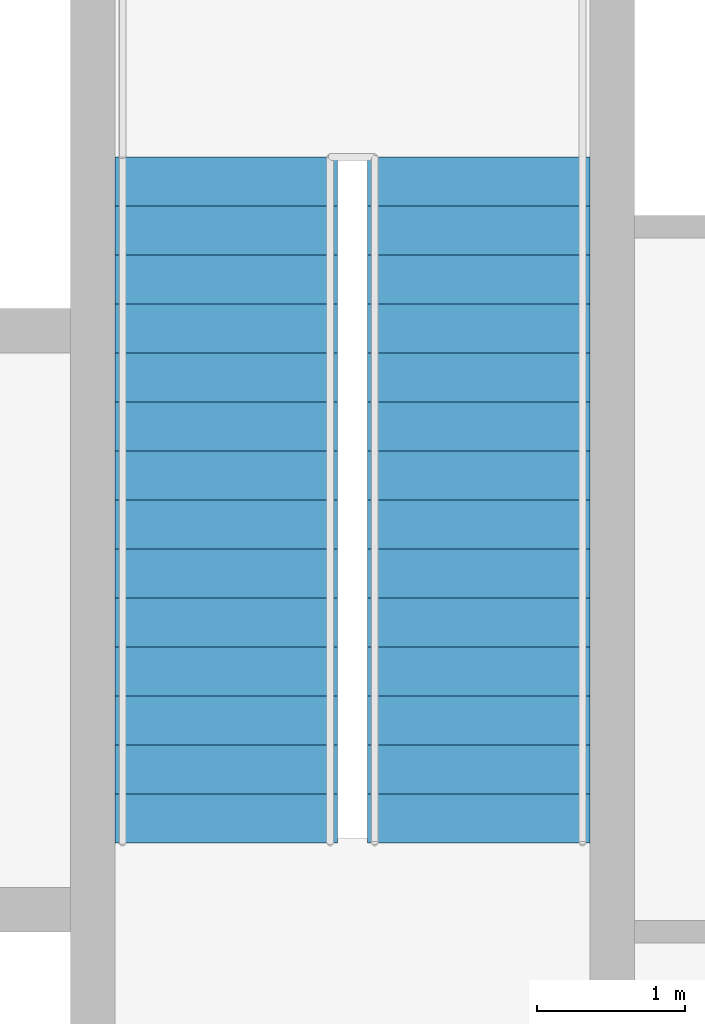
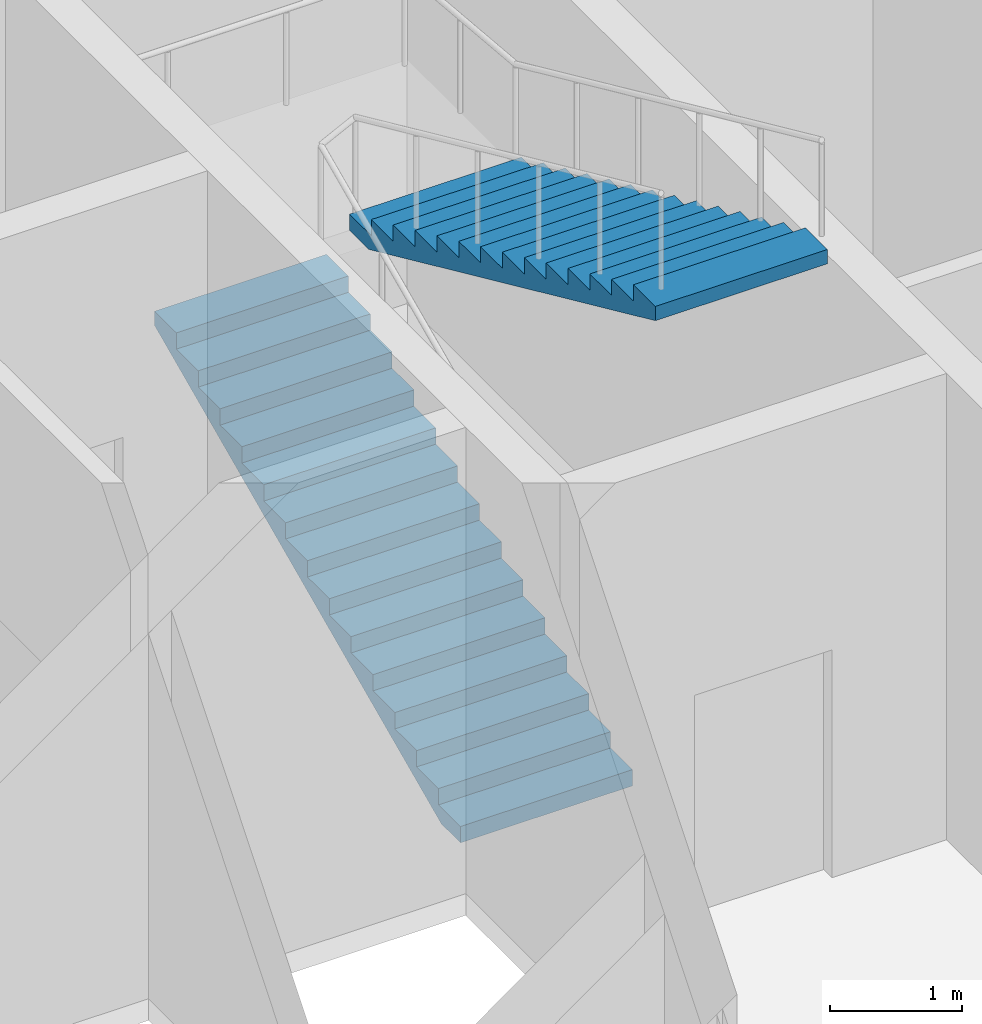
# One storey, part 10 of 11: 2 stair flights, 1 element without a shape of its own.
"""IFC4 building model written with IfcOpenShell, lengths in metres."""

from ifc_helpers import new_model, si_unit, direction, frame, origin, place, context, subcontext, project, spatial, polygons, material, type_object, element, aggregate, save


model = new_model("IFC4")

# Units and contexts
model_context = context("Model", 3, precision=1e-05, world=origin(), true_north=direction((0.0, 1.0)))
body_context = subcontext(model_context, "Body", "Model", "MODEL_VIEW")
ifc_project = project(units=[si_unit("LENGTHUNIT", "METRE"), si_unit("AREAUNIT", "SQUARE_METRE"), si_unit("VOLUMEUNIT", "CUBIC_METRE"), si_unit("PLANEANGLEUNIT", "RADIAN"), si_unit("MASSUNIT", "GRAM", prefix="KILO")], contexts=[model_context])

# Site, building, storey
site_placement = place(None, origin())
site = spatial("IfcSite", under=ifc_project, at=site_placement, CompositionType="ELEMENT")
building_placement = place(site_placement, origin())
building = spatial("IfcBuilding", under=site, at=building_placement, Name="Njiva Tower", CompositionType="ELEMENT")
storey_placement = place(building_placement, frame((0.0, 0.0, 129.3)))
storey = spatial("IfcBuildingStorey", under=building, at=storey_placement, Name="L27", CompositionType="ELEMENT", Elevation=129.3)

# Stair, stair flights
ifc_material = material(Name="Concrete C40/50", Category="concrete")
stair_type = type_object("IfcStairType", Name="ST4 Exit stair 1500", PredefinedType="HALF_TURN_STAIR", material=ifc_material)
stair_placement = place(storey_placement, origin())
stair = element("IfcStair", 1, at=stair_placement, inside=storey, type_object=stair_type, Name="Stair B", PredefinedType="HALF_TURN_STAIR")
stair_flight_type = type_object("IfcStairFlightType", Name="FL4 Stair flight 1500", PredefinedType="STRAIGHT", material=ifc_material)
stair_flight_1_placement = place(storey_placement, frame((11.75, 11.1, 0.0), z_axis=(0.0, 0.0, 1.0), x_axis=(0.0, 1.0, 0.0)))
stair_flight_1 = element("IfcStairFlight", 2, at=stair_flight_1_placement, type_object=stair_flight_type, Name="ST-B flight 1", NumberOfRisers=15, NumberOfTreads=14, PredefinedType="STRAIGHT", RiserHeight=0.15, TreadLength=0.33, context=body_context, shape_type="Tessellation", body=[
    polygons([(0.0, 0.75, 0.0), (0.0, 0.375, 0.0), (0.0, 0.0, 0.0), (0.0, -0.375, 0.0), (0.0, -0.75, 0.0), (0.0, 0.75, 0.15), (0.0, 0.375, 0.15), (0.0, 0.0, 0.15), (0.0, -0.375, 0.15), (0.0, -0.75, 0.15), (0.33, 0.75, 0.15), (0.33, 0.375, 0.15), (0.33, 0.0, 0.15), (0.33, -0.375, 0.15), (0.33, -0.75, 0.15), (0.33, 0.75, 0.3), (0.33, 0.375, 0.3), (0.33, 0.0, 0.3), (0.33, -0.375, 0.3), (0.33, -0.75, 0.3), (0.66, 0.75, 0.3), (0.66, 0.375, 0.3), (0.66, 0.0, 0.3), (0.66, -0.375, 0.3), (0.66, -0.75, 0.3), (0.66, 0.75, 0.45), (0.66, 0.375, 0.45), (0.66, 0.0, 0.45), (0.66, -0.375, 0.45), (0.66, -0.75, 0.45), (0.99, 0.75, 0.45), (0.99, 0.375, 0.45), (0.99, 0.0, 0.45), (0.99, -0.375, 0.45), (0.99, -0.75, 0.45), (0.99, 0.75, 0.6), (0.99, 0.375, 0.6), (0.99, 0.0, 0.6), (0.99, -0.375, 0.6), (0.99, -0.75, 0.6), (1.32, 0.75, 0.6), (1.32, 0.375, 0.6), (1.32, 0.0, 0.6), (1.32, -0.375, 0.6), (1.32, -0.75, 0.6), (1.32, 0.75, 0.75), (1.32, 0.375, 0.75), (1.32, 0.0, 0.75), (1.32, -0.375, 0.75), (1.32, -0.75, 0.75), (1.65, 0.75, 0.75), (1.65, 0.375, 0.75), (1.65, 0.0, 0.75), (1.65, -0.375, 0.75), (1.65, -0.75, 0.75), (1.65, 0.75, 0.9), (1.65, 0.375, 0.9), (1.65, 0.0, 0.9), (1.65, -0.375, 0.9), (1.65, -0.75, 0.9), (1.98, 0.75, 0.9), (1.98, 0.375, 0.9), (1.98, 0.0, 0.9), (1.98, -0.375, 0.9), (1.98, -0.75, 0.9), (1.98, 0.75, 1.05), (1.98, 0.375, 1.05), (1.98, 0.0, 1.05), (1.98, -0.375, 1.05), (1.98, -0.75, 1.05), (2.31, 0.75, 1.05), (2.31, 0.375, 1.05), (2.31, 0.0, 1.05), (2.31, -0.375, 1.05), (2.31, -0.75, 1.05), (2.31, 0.75, 1.2), (2.31, 0.375, 1.2), (2.31, 0.0, 1.2), (2.31, -0.375, 1.2), (2.31, -0.75, 1.2), (2.64, 0.75, 1.2), (2.64, 0.375, 1.2), (2.64, 0.0, 1.2), (2.64, -0.375, 1.2), (2.64, -0.75, 1.2), (2.64, 0.75, 1.35), (2.64, 0.375, 1.35), (2.64, 0.0, 1.35), (2.64, -0.375, 1.35), (2.64, -0.75, 1.35), (2.97, 0.75, 1.35), (2.97, 0.375, 1.35), (2.97, 0.0, 1.35), (2.97, -0.375, 1.35), (2.97, -0.75, 1.35), (2.97, 0.75, 1.5), (2.97, 0.375, 1.5), (2.97, 0.0, 1.5), (2.97, -0.375, 1.5), (2.97, -0.75, 1.5), (3.3, 0.75, 1.5), (3.3, 0.375, 1.5), (3.3, 0.0, 1.5), (3.3, -0.375, 1.5), (3.3, -0.75, 1.5), (3.3, 0.75, 1.65), (3.3, 0.375, 1.65), (3.3, 0.0, 1.65), (3.3, -0.375, 1.65), (3.3, -0.75, 1.65), (3.63, 0.75, 1.65), (3.63, 0.375, 1.65), (3.63, 0.0, 1.65), (3.63, -0.375, 1.65), (3.63, -0.75, 1.65), (3.63, 0.75, 1.8), (3.63, 0.375, 1.8), (3.63, 0.0, 1.8), (3.63, -0.375, 1.8), (3.63, -0.75, 1.8), (3.96, 0.75, 1.8), (3.96, 0.375, 1.8), (3.96, 0.0, 1.8), (3.96, -0.375, 1.8), (3.96, -0.75, 1.8), (3.96, 0.75, 1.95), (3.96, 0.375, 1.95), (3.96, 0.0, 1.95), (3.96, -0.375, 1.95), (3.96, -0.75, 1.95), (4.29, 0.75, 1.95), (4.29, 0.375, 1.95), (4.29, 0.0, 1.95), (4.29, -0.375, 1.95), (4.29, -0.75, 1.95), (4.29, 0.75, 2.1), (4.29, 0.375, 2.1), (4.29, 0.0, 2.1), (4.29, -0.375, 2.1), (4.29, -0.75, 2.1), (4.62, 0.75, 2.1), (4.62, 0.375, 2.1), (4.62, 0.0, 2.1), (4.62, -0.375, 2.1), (4.62, -0.75, 2.1), (4.62, 0.75, 1.9682), (4.62, 0.375, 1.9682), (4.62, 0.0, 1.9682), (4.62, -0.375, 1.9682), (4.62, -0.75, 1.9682), (0.29, 0.75, 0.0), (0.29, 0.375, 0.0), (0.29, 0.0, 0.0), (0.29, -0.375, 0.0), (0.29, -0.75, 0.0)], [[[1, 6, 11, 16, 21, 26, 31, 36, 41, 46, 51, 56, 61, 66, 71, 76, 81, 86, 91, 96, 101, 106, 111, 116, 121, 126, 131, 136, 141, 146, 151]], [[155, 150, 145, 140, 135, 130, 125, 120, 115, 110, 105, 100, 95, 90, 85, 80, 75, 70, 65, 60, 55, 50, 45, 40, 35, 30, 25, 20, 15, 10, 5]], [[6, 1, 2, 7]], [[7, 2, 3, 8]], [[8, 3, 4, 9]], [[9, 4, 5, 10]], [[11, 6, 7, 12]], [[12, 7, 8, 13]], [[13, 8, 9, 14]], [[14, 9, 10, 15]], [[16, 11, 12, 17]], [[17, 12, 13, 18]], [[18, 13, 14, 19]], [[19, 14, 15, 20]], [[21, 16, 17, 22]], [[22, 17, 18, 23]], [[23, 18, 19, 24]], [[24, 19, 20, 25]], [[26, 21, 22, 27]], [[27, 22, 23, 28]], [[28, 23, 24, 29]], [[29, 24, 25, 30]], [[31, 26, 27, 32]], [[32, 27, 28, 33]], [[33, 28, 29, 34]], [[34, 29, 30, 35]], [[36, 31, 32, 37]], [[37, 32, 33, 38]], [[38, 33, 34, 39]], [[39, 34, 35, 40]], [[41, 36, 37, 42]], [[42, 37, 38, 43]], [[43, 38, 39, 44]], [[44, 39, 40, 45]], [[46, 41, 42, 47]], [[47, 42, 43, 48]], [[48, 43, 44, 49]], [[49, 44, 45, 50]], [[51, 46, 47, 52]], [[52, 47, 48, 53]], [[53, 48, 49, 54]], [[54, 49, 50, 55]], [[56, 51, 52, 57]], [[57, 52, 53, 58]], [[58, 53, 54, 59]], [[59, 54, 55, 60]], [[61, 56, 57, 62]], [[62, 57, 58, 63]], [[63, 58, 59, 64]], [[64, 59, 60, 65]], [[66, 61, 62, 67]], [[67, 62, 63, 68]], [[68, 63, 64, 69]], [[69, 64, 65, 70]], [[71, 66, 67, 72]], [[72, 67, 68, 73]], [[73, 68, 69, 74]], [[74, 69, 70, 75]], [[76, 71, 72, 77]], [[77, 72, 73, 78]], [[78, 73, 74, 79]], [[79, 74, 75, 80]], [[81, 76, 77, 82]], [[82, 77, 78, 83]], [[83, 78, 79, 84]], [[84, 79, 80, 85]], [[86, 81, 82, 87]], [[87, 82, 83, 88]], [[88, 83, 84, 89]], [[89, 84, 85, 90]], [[91, 86, 87, 92]], [[92, 87, 88, 93]], [[93, 88, 89, 94]], [[94, 89, 90, 95]], [[96, 91, 92, 97]], [[97, 92, 93, 98]], [[98, 93, 94, 99]], [[99, 94, 95, 100]], [[101, 96, 97, 102]], [[102, 97, 98, 103]], [[103, 98, 99, 104]], [[104, 99, 100, 105]], [[106, 101, 102, 107]], [[107, 102, 103, 108]], [[108, 103, 104, 109]], [[109, 104, 105, 110]], [[111, 106, 107, 112]], [[112, 107, 108, 113]], [[113, 108, 109, 114]], [[114, 109, 110, 115]], [[116, 111, 112, 117]], [[117, 112, 113, 118]], [[118, 113, 114, 119]], [[119, 114, 115, 120]], [[121, 116, 117, 122]], [[122, 117, 118, 123]], [[123, 118, 119, 124]], [[124, 119, 120, 125]], [[126, 121, 122, 127]], [[127, 122, 123, 128]], [[128, 123, 124, 129]], [[129, 124, 125, 130]], [[131, 126, 127, 132]], [[132, 127, 128, 133]], [[133, 128, 129, 134]], [[134, 129, 130, 135]], [[136, 131, 132, 137]], [[137, 132, 133, 138]], [[138, 133, 134, 139]], [[139, 134, 135, 140]], [[141, 136, 137, 142]], [[142, 137, 138, 143]], [[143, 138, 139, 144]], [[144, 139, 140, 145]], [[146, 141, 142, 147]], [[147, 142, 143, 148]], [[148, 143, 144, 149]], [[149, 144, 145, 150]], [[151, 146, 147, 152]], [[152, 147, 148, 153]], [[153, 148, 149, 154]], [[154, 149, 150, 155]], [[1, 151, 152, 2]], [[2, 152, 153, 3]], [[3, 153, 154, 4]], [[4, 154, 155, 5]]], closed=True),
])
stair_flight_2_placement = place(storey_placement, frame((13.45, 15.72, 2.25), z_axis=(0.0, 0.0, 1.0), x_axis=(0.0, -1.0, 0.0)))
stair_flight_2 = element("IfcStairFlight", 3, at=stair_flight_2_placement, type_object=stair_flight_type, Name="ST-B flight 2", NumberOfRisers=15, NumberOfTreads=14, PredefinedType="STRAIGHT", RiserHeight=0.15, TreadLength=0.33, context=body_context, shape_type="Tessellation", body=[
    polygons([(0.0, 0.75, 0.0), (0.0, 0.375, 0.0), (0.0, 0.0, 0.0), (0.0, -0.375, 0.0), (0.0, -0.75, 0.0), (0.0, 0.75, 0.15), (0.0, 0.375, 0.15), (0.0, 0.0, 0.15), (0.0, -0.375, 0.15), (0.0, -0.75, 0.15), (0.33, 0.75, 0.15), (0.33, 0.375, 0.15), (0.33, 0.0, 0.15), (0.33, -0.375, 0.15), (0.33, -0.75, 0.15), (0.33, 0.75, 0.3), (0.33, 0.375, 0.3), (0.33, 0.0, 0.3), (0.33, -0.375, 0.3), (0.33, -0.75, 0.3), (0.66, 0.75, 0.3), (0.66, 0.375, 0.3), (0.66, 0.0, 0.3), (0.66, -0.375, 0.3), (0.66, -0.75, 0.3), (0.66, 0.75, 0.45), (0.66, 0.375, 0.45), (0.66, 0.0, 0.45), (0.66, -0.375, 0.45), (0.66, -0.75, 0.45), (0.99, 0.75, 0.45), (0.99, 0.375, 0.45), (0.99, 0.0, 0.45), (0.99, -0.375, 0.45), (0.99, -0.75, 0.45), (0.99, 0.75, 0.6), (0.99, 0.375, 0.6), (0.99, 0.0, 0.6), (0.99, -0.375, 0.6), (0.99, -0.75, 0.6), (1.32, 0.75, 0.6), (1.32, 0.375, 0.6), (1.32, 0.0, 0.6), (1.32, -0.375, 0.6), (1.32, -0.75, 0.6), (1.32, 0.75, 0.75), (1.32, 0.375, 0.75), (1.32, 0.0, 0.75), (1.32, -0.375, 0.75), (1.32, -0.75, 0.75), (1.65, 0.75, 0.75), (1.65, 0.375, 0.75), (1.65, 0.0, 0.75), (1.65, -0.375, 0.75), (1.65, -0.75, 0.75), (1.65, 0.75, 0.9), (1.65, 0.375, 0.9), (1.65, 0.0, 0.9), (1.65, -0.375, 0.9), (1.65, -0.75, 0.9), (1.98, 0.75, 0.9), (1.98, 0.375, 0.9), (1.98, 0.0, 0.9), (1.98, -0.375, 0.9), (1.98, -0.75, 0.9), (1.98, 0.75, 1.05), (1.98, 0.375, 1.05), (1.98, 0.0, 1.05), (1.98, -0.375, 1.05), (1.98, -0.75, 1.05), (2.31, 0.75, 1.05), (2.31, 0.375, 1.05), (2.31, 0.0, 1.05), (2.31, -0.375, 1.05), (2.31, -0.75, 1.05), (2.31, 0.75, 1.2), (2.31, 0.375, 1.2), (2.31, 0.0, 1.2), (2.31, -0.375, 1.2), (2.31, -0.75, 1.2), (2.64, 0.75, 1.2), (2.64, 0.375, 1.2), (2.64, 0.0, 1.2), (2.64, -0.375, 1.2), (2.64, -0.75, 1.2), (2.64, 0.75, 1.35), (2.64, 0.375, 1.35), (2.64, 0.0, 1.35), (2.64, -0.375, 1.35), (2.64, -0.75, 1.35), (2.97, 0.75, 1.35), (2.97, 0.375, 1.35), (2.97, 0.0, 1.35), (2.97, -0.375, 1.35), (2.97, -0.75, 1.35), (2.97, 0.75, 1.5), (2.97, 0.375, 1.5), (2.97, 0.0, 1.5), (2.97, -0.375, 1.5), (2.97, -0.75, 1.5), (3.3, 0.75, 1.5), (3.3, 0.375, 1.5), (3.3, 0.0, 1.5), (3.3, -0.375, 1.5), (3.3, -0.75, 1.5), (3.3, 0.75, 1.65), (3.3, 0.375, 1.65), (3.3, 0.0, 1.65), (3.3, -0.375, 1.65), (3.3, -0.75, 1.65), (3.63, 0.75, 1.65), (3.63, 0.375, 1.65), (3.63, 0.0, 1.65), (3.63, -0.375, 1.65), (3.63, -0.75, 1.65), (3.63, 0.75, 1.8), (3.63, 0.375, 1.8), (3.63, 0.0, 1.8), (3.63, -0.375, 1.8), (3.63, -0.75, 1.8), (3.96, 0.75, 1.8), (3.96, 0.375, 1.8), (3.96, 0.0, 1.8), (3.96, -0.375, 1.8), (3.96, -0.75, 1.8), (3.96, 0.75, 1.95), (3.96, 0.375, 1.95), (3.96, 0.0, 1.95), (3.96, -0.375, 1.95), (3.96, -0.75, 1.95), (4.29, 0.75, 1.95), (4.29, 0.375, 1.95), (4.29, 0.0, 1.95), (4.29, -0.375, 1.95), (4.29, -0.75, 1.95), (4.29, 0.75, 2.1), (4.29, 0.375, 2.1), (4.29, 0.0, 2.1), (4.29, -0.375, 2.1), (4.29, -0.75, 2.1), (4.62, 0.75, 2.1), (4.62, 0.375, 2.1), (4.62, 0.0, 2.1), (4.62, -0.375, 2.1), (4.62, -0.75, 2.1), (4.62, 0.75, 1.9682), (4.62, 0.375, 1.9682), (4.62, 0.0, 1.9682), (4.62, -0.375, 1.9682), (4.62, -0.75, 1.9682), (0.29, 0.75, 0.0), (0.29, 0.375, 0.0), (0.29, 0.0, 0.0), (0.29, -0.375, 0.0), (0.29, -0.75, 0.0)], [[[1, 6, 11, 16, 21, 26, 31, 36, 41, 46, 51, 56, 61, 66, 71, 76, 81, 86, 91, 96, 101, 106, 111, 116, 121, 126, 131, 136, 141, 146, 151]], [[155, 150, 145, 140, 135, 130, 125, 120, 115, 110, 105, 100, 95, 90, 85, 80, 75, 70, 65, 60, 55, 50, 45, 40, 35, 30, 25, 20, 15, 10, 5]], [[6, 1, 2, 7]], [[7, 2, 3, 8]], [[8, 3, 4, 9]], [[9, 4, 5, 10]], [[11, 6, 7, 12]], [[12, 7, 8, 13]], [[13, 8, 9, 14]], [[14, 9, 10, 15]], [[16, 11, 12, 17]], [[17, 12, 13, 18]], [[18, 13, 14, 19]], [[19, 14, 15, 20]], [[21, 16, 17, 22]], [[22, 17, 18, 23]], [[23, 18, 19, 24]], [[24, 19, 20, 25]], [[26, 21, 22, 27]], [[27, 22, 23, 28]], [[28, 23, 24, 29]], [[29, 24, 25, 30]], [[31, 26, 27, 32]], [[32, 27, 28, 33]], [[33, 28, 29, 34]], [[34, 29, 30, 35]], [[36, 31, 32, 37]], [[37, 32, 33, 38]], [[38, 33, 34, 39]], [[39, 34, 35, 40]], [[41, 36, 37, 42]], [[42, 37, 38, 43]], [[43, 38, 39, 44]], [[44, 39, 40, 45]], [[46, 41, 42, 47]], [[47, 42, 43, 48]], [[48, 43, 44, 49]], [[49, 44, 45, 50]], [[51, 46, 47, 52]], [[52, 47, 48, 53]], [[53, 48, 49, 54]], [[54, 49, 50, 55]], [[56, 51, 52, 57]], [[57, 52, 53, 58]], [[58, 53, 54, 59]], [[59, 54, 55, 60]], [[61, 56, 57, 62]], [[62, 57, 58, 63]], [[63, 58, 59, 64]], [[64, 59, 60, 65]], [[66, 61, 62, 67]], [[67, 62, 63, 68]], [[68, 63, 64, 69]], [[69, 64, 65, 70]], [[71, 66, 67, 72]], [[72, 67, 68, 73]], [[73, 68, 69, 74]], [[74, 69, 70, 75]], [[76, 71, 72, 77]], [[77, 72, 73, 78]], [[78, 73, 74, 79]], [[79, 74, 75, 80]], [[81, 76, 77, 82]], [[82, 77, 78, 83]], [[83, 78, 79, 84]], [[84, 79, 80, 85]], [[86, 81, 82, 87]], [[87, 82, 83, 88]], [[88, 83, 84, 89]], [[89, 84, 85, 90]], [[91, 86, 87, 92]], [[92, 87, 88, 93]], [[93, 88, 89, 94]], [[94, 89, 90, 95]], [[96, 91, 92, 97]], [[97, 92, 93, 98]], [[98, 93, 94, 99]], [[99, 94, 95, 100]], [[101, 96, 97, 102]], [[102, 97, 98, 103]], [[103, 98, 99, 104]], [[104, 99, 100, 105]], [[106, 101, 102, 107]], [[107, 102, 103, 108]], [[108, 103, 104, 109]], [[109, 104, 105, 110]], [[111, 106, 107, 112]], [[112, 107, 108, 113]], [[113, 108, 109, 114]], [[114, 109, 110, 115]], [[116, 111, 112, 117]], [[117, 112, 113, 118]], [[118, 113, 114, 119]], [[119, 114, 115, 120]], [[121, 116, 117, 122]], [[122, 117, 118, 123]], [[123, 118, 119, 124]], [[124, 119, 120, 125]], [[126, 121, 122, 127]], [[127, 122, 123, 128]], [[128, 123, 124, 129]], [[129, 124, 125, 130]], [[131, 126, 127, 132]], [[132, 127, 128, 133]], [[133, 128, 129, 134]], [[134, 129, 130, 135]], [[136, 131, 132, 137]], [[137, 132, 133, 138]], [[138, 133, 134, 139]], [[139, 134, 135, 140]], [[141, 136, 137, 142]], [[142, 137, 138, 143]], [[143, 138, 139, 144]], [[144, 139, 140, 145]], [[146, 141, 142, 147]], [[147, 142, 143, 148]], [[148, 143, 144, 149]], [[149, 144, 145, 150]], [[151, 146, 147, 152]], [[152, 147, 148, 153]], [[153, 148, 149, 154]], [[154, 149, 150, 155]], [[1, 151, 152, 2]], [[2, 152, 153, 3]], [[3, 153, 154, 4]], [[4, 154, 155, 5]]], closed=True),
])
aggregate(stair, [stair_flight_1, stair_flight_2])

save(model, "model.ifc")
